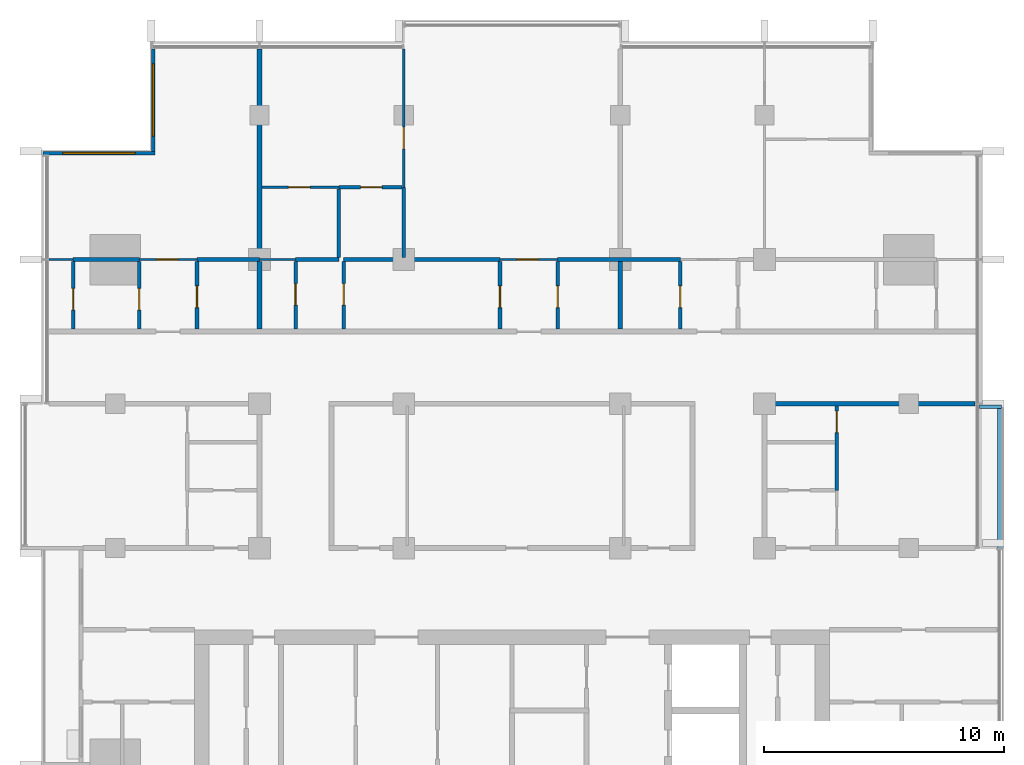
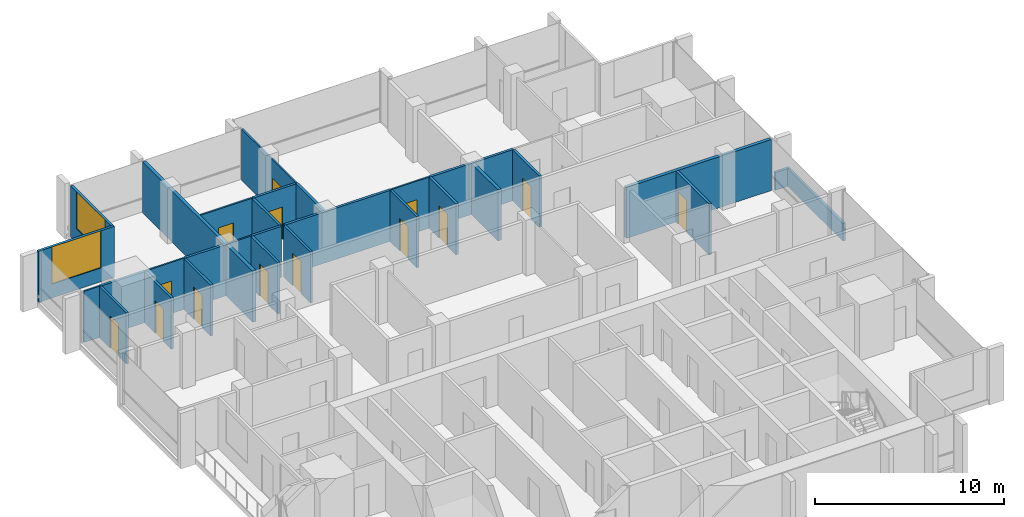
# One storey, part 10 of 16: 31 walls, 14 doors, 2 windows, 16 openings.
"""IFC4 building model written with IfcOpenShell, lengths in metres."""

from ifc_helpers import new_model, si_unit, direction, frame, frame_2d, origin, place, context, subcontext, project, spatial, rectangle, extrude, material, layer, layer_set, type_object, element, fill, save


model = new_model("IFC4")

# Units and contexts
model_context = context("Model", 3, precision=1e-05, world=origin(), true_north=direction((0.0, 1.0)))
body_context = subcontext(model_context, "Body", "Model", "MODEL_VIEW")
ifc_project = project(units=[si_unit("LENGTHUNIT", "METRE"), si_unit("AREAUNIT", "SQUARE_METRE"), si_unit("VOLUMEUNIT", "CUBIC_METRE"), si_unit("PLANEANGLEUNIT", "RADIAN"), si_unit("MASSUNIT", "GRAM", prefix="KILO")], contexts=[model_context])

# Site, building, storey
site_placement = place(None, origin())
site = spatial("IfcSite", under=ifc_project, at=site_placement, CompositionType="ELEMENT")
building_placement = place(site_placement, origin())
building = spatial("IfcBuilding", under=site, at=building_placement, Name="Finial Court Residences", CompositionType="ELEMENT")
storey_placement = place(building_placement, frame((0.0, 0.0, 215.89990234375)))
storey = spatial("IfcBuildingStorey", under=building, at=storey_placement, Name="L54", CompositionType="ELEMENT", Elevation=215.89990234375)

# Walls
ifc_material_1 = material(Name="Gypsum board")
ifc_layer_1 = layer(ifc_material_1, 0.02490234375)
ifc_material_2 = material(Name="Acoustic mineral wool in double frame")
ifc_layer_2 = layer(ifc_material_2, 0.14990234375)
ifc_layer_3 = layer(ifc_material_1, 0.02490234375)
ifc_layer_set_1 = layer_set([ifc_layer_1, ifc_layer_2, ifc_layer_3], Name="Acoustic party wall 200, 1 hour")
wall_type_1 = type_object("IfcWallType", Name="Acoustic party wall 200, 1 hour", PredefinedType="PARTITIONING", material=ifc_layer_set_1)
wall_1_placement = place(storey_placement, frame((-10.5, 4.60009765625, 0.0), z_axis=(0.0, 0.0, 1.0), x_axis=(0.0, 1.0, 0.0)))
element("IfcWall", 1, at=wall_1_placement, inside=storey, type_object=wall_type_1, Name="Partition L54-039", PredefinedType="PARTITIONING", context=body_context, shape_type="SweptSolid", body=[
    extrude(rectangle(XDim=2.824951171875, YDim=0.199951171875, at=frame_2d((1.41259765625, 0.0))), origin(), (0.0, 0.0, 1.0), 3.300048828125),
])
wall_2_placement = place(storey_placement, frame((-10.5, 7.574951171875, 0.0), z_axis=(0.0, 0.0, 1.0), x_axis=(0.0, 1.0, 0.0)))
element("IfcWall", 2, at=wall_2_placement, inside=storey, type_object=wall_type_1, Name="Partition L54-040", PredefinedType="PARTITIONING", context=body_context, shape_type="SweptSolid", body=[
    extrude(rectangle(XDim=8.6875, YDim=0.199951171875, at=frame_2d((4.34375, 0.0))), origin(), (0.0, 0.0, 1.0), 3.300048828125),
])
wall_3_placement = place(storey_placement, frame((4.5, 4.60009765625, 0.0), z_axis=(0.0, 0.0, 1.0), x_axis=(0.0, 1.0, 0.0)))
element("IfcWall", 3, at=wall_3_placement, inside=storey, type_object=wall_type_1, Name="Partition L54-050", PredefinedType="PARTITIONING", context=body_context, shape_type="SweptSolid", body=[
    extrude(rectangle(XDim=2.824951171875, YDim=0.199951171875, at=frame_2d((1.41259765625, 0.0))), origin(), (0.0, 0.0, 1.0), 3.300048828125),
])
ifc_layer_4 = layer(ifc_material_1, 0.02490234375)
ifc_layer_5 = layer(ifc_material_2, 0.14990234375)
ifc_layer_6 = layer(ifc_material_1, 0.02490234375)
ifc_layer_set_2 = layer_set([ifc_layer_4, ifc_layer_5, ifc_layer_6], Name="Corridor wall 200, 1 hour")
wall_type_2 = type_object("IfcWallType", Name="Corridor wall 200, 1 hour", PredefinedType="PARTITIONING", material=ifc_layer_set_2)
wall_4_placement = place(storey_placement, frame((10.39990234375, 1.5, 0.0), z_axis=(0.0, 0.0, 1.0), x_axis=(1.0, 0.0, 0.0)))
element("IfcWall", 4, at=wall_4_placement, inside=storey, type_object=wall_type_2, Name="Partition L54-015", PredefinedType="PARTITIONING", context=body_context, shape_type="SweptSolid", body=[
    extrude(rectangle(XDim=8.862548828125, YDim=0.199951171875, at=frame_2d((4.43115234375, 0.0))), origin(), (0.0, 0.0, 1.0), 3.300048828125),
])
ifc_layer_7 = layer(ifc_material_1, 0.012451171875)
ifc_material_3 = material(Name="Mineral wool in light-gauge frame")
ifc_layer_8 = layer(ifc_material_3, 0.074951171875)
ifc_layer_9 = layer(ifc_material_1, 0.012451171875)
ifc_layer_set_3 = layer_set([ifc_layer_7, ifc_layer_8, ifc_layer_9], Name="Gypsum board partition 100")
wall_type_3 = type_object("IfcWallType", Name="Gypsum board partition 100", PredefinedType="PARTITIONING", material=ifc_layer_set_3)
wall_5_placement = place(storey_placement, frame((-19.262451171875, 7.5, 0.0), z_axis=(0.0, 0.0, 1.0), x_axis=(1.0, 0.0, 0.0)))
element("IfcWall", 5, at=wall_5_placement, inside=storey, type_object=wall_type_3, Name="Partition L54-017", PredefinedType="PARTITIONING", context=body_context, shape_type="SweptSolid", body=[
    extrude(rectangle(XDim=1.012451171875, YDim=0.10009765625, at=frame_2d((0.50634765625, 0.0))), origin(), (0.0, 0.0, 1.0), 3.300048828125),
])

# Wall, opening, door
wall_6_placement = place(storey_placement, frame((-15.5, 7.5, 0.0), z_axis=(0.0, 0.0, 1.0), x_axis=(1.0, 0.0, 0.0)))
wall_6 = element("IfcWall", 6, at=wall_6_placement, inside=storey, type_object=wall_type_3, Name="Partition L54-018", PredefinedType="PARTITIONING", context=body_context, shape_type="SweptSolid", body=[
    extrude(rectangle(XDim=2.39990234375, YDim=0.10009765625, at=frame_2d((1.199951171875, 0.0))), origin(), (0.0, 0.0, 1.0), 3.300048828125),
])
opening_1_placement = place(wall_6_placement, frame((0.699951171875, 0.0, 0.0)))
opening_1 = element("IfcOpeningElement", 7, at=opening_1_placement, cuts=wall_6, Name="Opening L54-D019", PredefinedType="OPENING", context=body_context, shape_type="SweptSolid", body=[
    extrude(rectangle(XDim=0.89990234375, YDim=2.10009765625, at=frame_2d((0.449951171875, 1.050048828125))), frame((0.0, 0.06005859375, 0.0), z_axis=(0.0, -1.0, 0.0), x_axis=(1.0, 0.0, 0.0)), (0.0, 0.0, 1.0), 0.1201171875),
])
ifc_material_4 = material(Name="Timber door leaf in timber frame", Category="wood")
door_type = type_object("IfcDoorType", Name="Door set 900 x 2100", OperationType="SINGLE_SWING_LEFT", PredefinedType="DOOR", material=ifc_material_4)
door_1_placement = place(opening_1_placement, origin())
door_1 = element("IfcDoor", 8, at=door_1_placement, inside=storey, type_object=door_type, Name="Door L54-D019", OperationType="SINGLE_SWING_RIGHT", OverallHeight=2.10009765625, OverallWidth=0.89990234375, PredefinedType="DOOR", context=body_context, shape_type="SweptSolid", body=[
    extrude(rectangle(XDim=0.89990234375, YDim=2.10009765625, at=frame_2d((0.449951171875, 1.050048828125))), frame((0.0, 0.02490234375, 0.0), z_axis=(0.0, -1.0, 0.0), x_axis=(1.0, 0.0, 0.0)), (0.0, 0.0, 1.0), 0.050048828125),
])
fill(opening_1, door_1)

# Wall
wall_7_placement = place(storey_placement, frame((-10.5, 7.5, 0.0), z_axis=(0.0, 0.0, 1.0), x_axis=(1.0, 0.0, 0.0)))
element("IfcWall", 9, at=wall_7_placement, inside=storey, type_object=wall_type_3, Name="Partition L54-019", PredefinedType="PARTITIONING", context=body_context, shape_type="SweptSolid", body=[
    extrude(rectangle(XDim=1.5, YDim=0.10009765625, at=frame_2d((0.75, 0.0))), origin(), (0.0, 0.0, 1.0), 3.300048828125),
])

# Wall, opening, door
wall_8_placement = place(storey_placement, frame((-0.5, 7.5, 0.0), z_axis=(0.0, 0.0, 1.0), x_axis=(1.0, 0.0, 0.0)))
wall_8 = element("IfcWall", 10, at=wall_8_placement, inside=storey, type_object=wall_type_3, Name="Partition L54-020", PredefinedType="PARTITIONING", context=body_context, shape_type="SweptSolid", body=[
    extrude(rectangle(XDim=2.39990234375, YDim=0.10009765625, at=frame_2d((1.199951171875, 0.0))), origin(), (0.0, 0.0, 1.0), 3.300048828125),
])
opening_2_placement = place(wall_8_placement, frame((0.699951171875, 0.0, 0.0)))
opening_2 = element("IfcOpeningElement", 11, at=opening_2_placement, cuts=wall_8, Name="Opening L54-D020", PredefinedType="OPENING", context=body_context, shape_type="SweptSolid", body=[
    extrude(rectangle(XDim=0.89990234375, YDim=2.10009765625, at=frame_2d((0.449951171875, 1.050048828125))), frame((0.0, 0.06005859375, 0.0), z_axis=(0.0, -1.0, 0.0), x_axis=(1.0, 0.0, 0.0)), (0.0, 0.0, 1.0), 0.1201171875),
])
door_2_placement = place(opening_2_placement, origin())
door_2 = element("IfcDoor", 12, at=door_2_placement, inside=storey, type_object=door_type, Name="Door L54-D020", OperationType="SINGLE_SWING_RIGHT", OverallHeight=2.10009765625, OverallWidth=0.89990234375, PredefinedType="DOOR", context=body_context, shape_type="SweptSolid", body=[
    extrude(rectangle(XDim=0.89990234375, YDim=2.10009765625, at=frame_2d((0.449951171875, 1.050048828125))), frame((0.0, 0.02490234375, 0.0), z_axis=(0.0, -1.0, 0.0), x_axis=(1.0, 0.0, 0.0)), (0.0, 0.0, 1.0), 0.050048828125),
])
fill(opening_2, door_2)

wall_9_placement = place(storey_placement, frame((-10.39990234375, 10.5, 0.0), z_axis=(0.0, 0.0, 1.0), x_axis=(1.0, 0.0, 0.0)))
wall_9 = element("IfcWall", 13, at=wall_9_placement, inside=storey, type_object=wall_type_3, Name="Partition L54-029", PredefinedType="PARTITIONING", context=body_context, shape_type="SweptSolid", body=[
    extrude(rectangle(XDim=3.199951171875, YDim=0.10009765625, at=frame_2d((1.60009765625, 0.0))), origin(), (0.0, 0.0, 1.0), 3.300048828125),
])
opening_3_placement = place(wall_9_placement, frame((1.10009765625, 0.0, 0.0)))
opening_3 = element("IfcOpeningElement", 14, at=opening_3_placement, cuts=wall_9, Name="Opening L54-D022", PredefinedType="OPENING", context=body_context, shape_type="SweptSolid", body=[
    extrude(rectangle(XDim=0.89990234375, YDim=2.10009765625, at=frame_2d((0.449951171875, 1.050048828125))), frame((0.0, 0.06005859375, 0.0), z_axis=(0.0, -1.0, 0.0), x_axis=(1.0, 0.0, 0.0)), (0.0, 0.0, 1.0), 0.1201171875),
])
door_3_placement = place(opening_3_placement, origin())
door_3 = element("IfcDoor", 15, at=door_3_placement, inside=storey, type_object=door_type, Name="Door L54-D022", OperationType="SINGLE_SWING_RIGHT", OverallHeight=2.10009765625, OverallWidth=0.89990234375, PredefinedType="DOOR", context=body_context, shape_type="SweptSolid", body=[
    extrude(rectangle(XDim=0.89990234375, YDim=2.10009765625, at=frame_2d((0.449951171875, 1.050048828125))), frame((0.0, 0.02490234375, 0.0), z_axis=(0.0, -1.0, 0.0), x_axis=(1.0, 0.0, 0.0)), (0.0, 0.0, 1.0), 0.050048828125),
])
fill(opening_3, door_3)

wall_10_placement = place(storey_placement, frame((-4.5, 10.5, 0.0), z_axis=(0.0, 0.0, 1.0), x_axis=(0.0, 1.0, 0.0)))
wall_10 = element("IfcWall", 16, at=wall_10_placement, inside=storey, type_object=wall_type_3, Name="Partition L54-045", PredefinedType="PARTITIONING", context=body_context, shape_type="SweptSolid", body=[
    extrude(rectangle(XDim=5.762451171875, YDim=0.10009765625, at=frame_2d((2.88134765625, 0.0))), origin(), (0.0, 0.0, 1.0), 3.300048828125),
])
opening_4_placement = place(wall_10_placement, frame((1.60009765625, 0.0, 0.0)))
opening_4 = element("IfcOpeningElement", 17, at=opening_4_placement, cuts=wall_10, Name="Opening L54-D032", PredefinedType="OPENING", context=body_context, shape_type="SweptSolid", body=[
    extrude(rectangle(XDim=0.89990234375, YDim=2.10009765625, at=frame_2d((0.449951171875, 1.050048828125))), frame((0.0, 0.06005859375, 0.0), z_axis=(0.0, -1.0, 0.0), x_axis=(1.0, 0.0, 0.0)), (0.0, 0.0, 1.0), 0.1201171875),
])
door_4_placement = place(opening_4_placement, origin())
door_4 = element("IfcDoor", 18, at=door_4_placement, inside=storey, type_object=door_type, Name="Door L54-D032", OperationType="SINGLE_SWING_RIGHT", OverallHeight=2.10009765625, OverallWidth=0.89990234375, PredefinedType="DOOR", context=body_context, shape_type="SweptSolid", body=[
    extrude(rectangle(XDim=0.89990234375, YDim=2.10009765625, at=frame_2d((0.449951171875, 1.050048828125))), frame((0.0, 0.02490234375, 0.0), z_axis=(0.0, -1.0, 0.0), x_axis=(1.0, 0.0, 0.0)), (0.0, 0.0, 1.0), 0.050048828125),
])
fill(opening_4, door_4)

# Walls
ifc_material_5 = material(Name="Moisture-resistant gypsum board")
ifc_layer_10 = layer(ifc_material_5, 0.012451171875)
ifc_layer_11 = layer(ifc_material_3, 0.125)
ifc_layer_12 = layer(ifc_material_5, 0.012451171875)
ifc_layer_set_4 = layer_set([ifc_layer_10, ifc_layer_11, ifc_layer_12], Name="Gypsum board wet-area partition 150")
wall_type_4 = type_object("IfcWallType", Name="Gypsum board wet-area partition 150", PredefinedType="PARTITIONING", material=ifc_layer_set_4)
wall_11_placement = place(storey_placement, frame((-18.25, 7.5, 0.0), z_axis=(0.0, 0.0, 1.0), x_axis=(1.0, 0.0, 0.0)))
element("IfcWall", 19, at=wall_11_placement, inside=storey, type_object=wall_type_4, Name="Partition L54-023", PredefinedType="PARTITIONING", context=body_context, shape_type="SweptSolid", body=[
    extrude(rectangle(XDim=2.75, YDim=0.14990234375, at=frame_2d((1.375, 0.0))), origin(), (0.0, 0.0, 1.0), 3.300048828125),
])
wall_12_placement = place(storey_placement, frame((-13.10009765625, 7.5, 0.0), z_axis=(0.0, 0.0, 1.0), x_axis=(1.0, 0.0, 0.0)))
element("IfcWall", 20, at=wall_12_placement, inside=storey, type_object=wall_type_4, Name="Partition L54-024", PredefinedType="PARTITIONING", context=body_context, shape_type="SweptSolid", body=[
    extrude(rectangle(XDim=2.60009765625, YDim=0.14990234375, at=frame_2d((1.300048828125, 0.0))), origin(), (0.0, 0.0, 1.0), 3.300048828125),
])
wall_13_placement = place(storey_placement, frame((-9.0, 7.5, 0.0), z_axis=(0.0, 0.0, 1.0), x_axis=(1.0, 0.0, 0.0)))
element("IfcWall", 21, at=wall_13_placement, inside=storey, type_object=wall_type_4, Name="Partition L54-025", PredefinedType="PARTITIONING", context=body_context, shape_type="SweptSolid", body=[
    extrude(rectangle(XDim=1.800048828125, YDim=0.14990234375, at=frame_2d((0.89990234375, 0.0))), origin(), (0.0, 0.0, 1.0), 3.300048828125),
])
wall_14_placement = place(storey_placement, frame((-7.0, 7.5, 0.0), z_axis=(0.0, 0.0, 1.0), x_axis=(1.0, 0.0, 0.0)))
element("IfcWall", 22, at=wall_14_placement, inside=storey, type_object=wall_type_4, Name="Partition L54-026", PredefinedType="PARTITIONING", context=body_context, shape_type="SweptSolid", body=[
    extrude(rectangle(XDim=6.5, YDim=0.14990234375, at=frame_2d((3.25, 0.0))), origin(), (0.0, 0.0, 1.0), 3.300048828125),
])
wall_15_placement = place(storey_placement, frame((1.89990234375, 7.5, 0.0), z_axis=(0.0, 0.0, 1.0), x_axis=(1.0, 0.0, 0.0)))
element("IfcWall", 23, at=wall_15_placement, inside=storey, type_object=wall_type_4, Name="Partition L54-027", PredefinedType="PARTITIONING", context=body_context, shape_type="SweptSolid", body=[
    extrude(rectangle(XDim=5.10009765625, YDim=0.14990234375, at=frame_2d((2.550048828125, 0.0))), origin(), (0.0, 0.0, 1.0), 3.300048828125),
])

# Wall, opening, door
wall_16_placement = place(storey_placement, frame((-7.199951171875, 10.5, 0.0), z_axis=(0.0, 0.0, 1.0), x_axis=(1.0, 0.0, 0.0)))
wall_16 = element("IfcWall", 24, at=wall_16_placement, inside=storey, type_object=wall_type_4, Name="Partition L54-030", PredefinedType="PARTITIONING", context=body_context, shape_type="SweptSolid", body=[
    extrude(rectangle(XDim=2.625, YDim=0.14990234375, at=frame_2d((1.3125, 0.0))), origin(), (0.0, 0.0, 1.0), 3.300048828125),
])
opening_5_placement = place(wall_16_placement, frame((0.89990234375, 0.0, 0.0)))
opening_5 = element("IfcOpeningElement", 25, at=opening_5_placement, cuts=wall_16, Name="Opening L54-D023", PredefinedType="OPENING", context=body_context, shape_type="SweptSolid", body=[
    extrude(rectangle(XDim=0.89990234375, YDim=2.10009765625, at=frame_2d((0.449951171875, 1.050048828125))), frame((0.0, 0.0849609375, 0.0), z_axis=(0.0, -1.0, 0.0), x_axis=(1.0, 0.0, 0.0)), (0.0, 0.0, 1.0), 0.169921875),
])
door_5_placement = place(opening_5_placement, origin())
door_5 = element("IfcDoor", 26, at=door_5_placement, inside=storey, type_object=door_type, Name="Door L54-D023", OperationType="SINGLE_SWING_LEFT", OverallHeight=2.10009765625, OverallWidth=0.89990234375, PredefinedType="DOOR", context=body_context, shape_type="SweptSolid", body=[
    extrude(rectangle(XDim=0.89990234375, YDim=2.10009765625, at=frame_2d((0.449951171875, 1.050048828125))), frame((0.0, 0.02490234375, 0.0), z_axis=(0.0, -1.0, 0.0), x_axis=(1.0, 0.0, 0.0)), (0.0, 0.0, 1.0), 0.050048828125),
])
fill(opening_5, door_5)

wall_17_placement = place(storey_placement, frame((-18.25, 4.60009765625, 0.0), z_axis=(0.0, 0.0, 1.0), x_axis=(0.0, 1.0, 0.0)))
wall_17 = element("IfcWall", 27, at=wall_17_placement, inside=storey, type_object=wall_type_4, Name="Partition L54-032", PredefinedType="PARTITIONING", context=body_context, shape_type="SweptSolid", body=[
    extrude(rectangle(XDim=2.824951171875, YDim=0.14990234375, at=frame_2d((1.41259765625, 0.0))), origin(), (0.0, 0.0, 1.0), 3.300048828125),
])
opening_6_placement = place(wall_17_placement, frame((0.800048828125, 0.0, 0.0)))
opening_6 = element("IfcOpeningElement", 28, at=opening_6_placement, cuts=wall_17, Name="Opening L54-D025", PredefinedType="OPENING", context=body_context, shape_type="SweptSolid", body=[
    extrude(rectangle(XDim=0.89990234375, YDim=2.10009765625, at=frame_2d((0.449951171875, 1.050048828125))), frame((0.0, 0.0849609375, 0.0), z_axis=(0.0, -1.0, 0.0), x_axis=(1.0, 0.0, 0.0)), (0.0, 0.0, 1.0), 0.169921875),
])
door_6_placement = place(opening_6_placement, origin())
door_6 = element("IfcDoor", 29, at=door_6_placement, inside=storey, type_object=door_type, Name="Door L54-D025", OperationType="SINGLE_SWING_RIGHT", OverallHeight=2.10009765625, OverallWidth=0.89990234375, PredefinedType="DOOR", context=body_context, shape_type="SweptSolid", body=[
    extrude(rectangle(XDim=0.89990234375, YDim=2.10009765625, at=frame_2d((0.449951171875, 1.050048828125))), frame((0.0, 0.02490234375, 0.0), z_axis=(0.0, -1.0, 0.0), x_axis=(1.0, 0.0, 0.0)), (0.0, 0.0, 1.0), 0.050048828125),
])
fill(opening_6, door_6)

wall_18_placement = place(storey_placement, frame((-15.5, 4.60009765625, 0.0), z_axis=(0.0, 0.0, 1.0), x_axis=(0.0, 1.0, 0.0)))
wall_18 = element("IfcWall", 30, at=wall_18_placement, inside=storey, type_object=wall_type_4, Name="Partition L54-034", PredefinedType="PARTITIONING", context=body_context, shape_type="SweptSolid", body=[
    extrude(rectangle(XDim=2.824951171875, YDim=0.14990234375, at=frame_2d((1.41259765625, 0.0))), origin(), (0.0, 0.0, 1.0), 3.300048828125),
])
opening_7_placement = place(wall_18_placement, frame((0.800048828125, 0.0, 0.0)))
opening_7 = element("IfcOpeningElement", 31, at=opening_7_placement, cuts=wall_18, Name="Opening L54-D026", PredefinedType="OPENING", context=body_context, shape_type="SweptSolid", body=[
    extrude(rectangle(XDim=0.89990234375, YDim=2.10009765625, at=frame_2d((0.449951171875, 1.050048828125))), frame((0.0, 0.0849609375, 0.0), z_axis=(0.0, -1.0, 0.0), x_axis=(1.0, 0.0, 0.0)), (0.0, 0.0, 1.0), 0.169921875),
])
door_7_placement = place(opening_7_placement, origin())
door_7 = element("IfcDoor", 32, at=door_7_placement, inside=storey, type_object=door_type, Name="Door L54-D026", OperationType="SINGLE_SWING_RIGHT", OverallHeight=2.10009765625, OverallWidth=0.89990234375, PredefinedType="DOOR", context=body_context, shape_type="SweptSolid", body=[
    extrude(rectangle(XDim=0.89990234375, YDim=2.10009765625, at=frame_2d((0.449951171875, 1.050048828125))), frame((0.0, 0.02490234375, 0.0), z_axis=(0.0, -1.0, 0.0), x_axis=(1.0, 0.0, 0.0)), (0.0, 0.0, 1.0), 0.050048828125),
])
fill(opening_7, door_7)

wall_19_placement = place(storey_placement, frame((-13.10009765625, 4.60009765625, 0.0), z_axis=(0.0, 0.0, 1.0), x_axis=(0.0, 1.0, 0.0)))
wall_19 = element("IfcWall", 33, at=wall_19_placement, inside=storey, type_object=wall_type_4, Name="Partition L54-037", PredefinedType="PARTITIONING", context=body_context, shape_type="SweptSolid", body=[
    extrude(rectangle(XDim=2.824951171875, YDim=0.14990234375, at=frame_2d((1.41259765625, 0.0))), origin(), (0.0, 0.0, 1.0), 3.300048828125),
])
opening_8_placement = place(wall_19_placement, frame((0.89990234375, 0.0, 0.0)))
opening_8 = element("IfcOpeningElement", 34, at=opening_8_placement, cuts=wall_19, Name="Opening L54-D029", PredefinedType="OPENING", context=body_context, shape_type="SweptSolid", body=[
    extrude(rectangle(XDim=0.89990234375, YDim=2.10009765625, at=frame_2d((0.449951171875, 1.050048828125))), frame((0.0, 0.0849609375, 0.0), z_axis=(0.0, -1.0, 0.0), x_axis=(1.0, 0.0, 0.0)), (0.0, 0.0, 1.0), 0.169921875),
])
door_8_placement = place(opening_8_placement, origin())
door_8 = element("IfcDoor", 35, at=door_8_placement, inside=storey, type_object=door_type, Name="Door L54-D029", OperationType="SINGLE_SWING_LEFT", OverallHeight=2.10009765625, OverallWidth=0.89990234375, PredefinedType="DOOR", context=body_context, shape_type="SweptSolid", body=[
    extrude(rectangle(XDim=0.89990234375, YDim=2.10009765625, at=frame_2d((0.449951171875, 1.050048828125))), frame((0.0, 0.02490234375, 0.0), z_axis=(0.0, -1.0, 0.0), x_axis=(1.0, 0.0, 0.0)), (0.0, 0.0, 1.0), 0.050048828125),
])
fill(opening_8, door_8)

wall_20_placement = place(storey_placement, frame((-9.0, 4.60009765625, 0.0), z_axis=(0.0, 0.0, 1.0), x_axis=(0.0, 1.0, 0.0)))
wall_20 = element("IfcWall", 36, at=wall_20_placement, inside=storey, type_object=wall_type_4, Name="Partition L54-041", PredefinedType="PARTITIONING", context=body_context, shape_type="SweptSolid", body=[
    extrude(rectangle(XDim=2.824951171875, YDim=0.14990234375, at=frame_2d((1.41259765625, 0.0))), origin(), (0.0, 0.0, 1.0), 3.300048828125),
])
opening_9_placement = place(wall_20_placement, frame((1.0, 0.0, 0.0)))
opening_9 = element("IfcOpeningElement", 37, at=opening_9_placement, cuts=wall_20, Name="Opening L54-D030", PredefinedType="OPENING", context=body_context, shape_type="SweptSolid", body=[
    extrude(rectangle(XDim=0.89990234375, YDim=2.10009765625, at=frame_2d((0.449951171875, 1.050048828125))), frame((0.0, 0.0849609375, 0.0), z_axis=(0.0, -1.0, 0.0), x_axis=(1.0, 0.0, 0.0)), (0.0, 0.0, 1.0), 0.169921875),
])
door_9_placement = place(opening_9_placement, origin())
door_9 = element("IfcDoor", 38, at=door_9_placement, inside=storey, type_object=door_type, Name="Door L54-D030", OperationType="SINGLE_SWING_LEFT", OverallHeight=2.10009765625, OverallWidth=0.89990234375, PredefinedType="DOOR", context=body_context, shape_type="SweptSolid", body=[
    extrude(rectangle(XDim=0.89990234375, YDim=2.10009765625, at=frame_2d((0.449951171875, 1.050048828125))), frame((0.0, 0.02490234375, 0.0), z_axis=(0.0, -1.0, 0.0), x_axis=(1.0, 0.0, 0.0)), (0.0, 0.0, 1.0), 0.050048828125),
])
fill(opening_9, door_9)

# Wall
wall_21_placement = place(storey_placement, frame((-7.199951171875, 7.574951171875, 0.0), z_axis=(0.0, 0.0, 1.0), x_axis=(0.0, 1.0, 0.0)))
element("IfcWall", 39, at=wall_21_placement, inside=storey, type_object=wall_type_4, Name="Partition L54-043", PredefinedType="PARTITIONING", context=body_context, shape_type="SweptSolid", body=[
    extrude(rectangle(XDim=2.85009765625, YDim=0.14990234375, at=frame_2d((1.425048828125, 0.0))), origin(), (0.0, 0.0, 1.0), 3.300048828125),
])

# Wall, opening, door
wall_22_placement = place(storey_placement, frame((-7.0, 4.60009765625, 0.0), z_axis=(0.0, 0.0, 1.0), x_axis=(0.0, 1.0, 0.0)))
wall_22 = element("IfcWall", 40, at=wall_22_placement, inside=storey, type_object=wall_type_4, Name="Partition L54-044", PredefinedType="PARTITIONING", context=body_context, shape_type="SweptSolid", body=[
    extrude(rectangle(XDim=2.824951171875, YDim=0.14990234375, at=frame_2d((1.41259765625, 0.0))), origin(), (0.0, 0.0, 1.0), 3.300048828125),
])
opening_10_placement = place(wall_22_placement, frame((1.0, 0.0, 0.0)))
opening_10 = element("IfcOpeningElement", 41, at=opening_10_placement, cuts=wall_22, Name="Opening L54-D031", PredefinedType="OPENING", context=body_context, shape_type="SweptSolid", body=[
    extrude(rectangle(XDim=0.89990234375, YDim=2.10009765625, at=frame_2d((0.449951171875, 1.050048828125))), frame((0.0, 0.0849609375, 0.0), z_axis=(0.0, -1.0, 0.0), x_axis=(1.0, 0.0, 0.0)), (0.0, 0.0, 1.0), 0.169921875),
])
door_10_placement = place(opening_10_placement, origin())
door_10 = element("IfcDoor", 42, at=door_10_placement, inside=storey, type_object=door_type, Name="Door L54-D031", OperationType="SINGLE_SWING_RIGHT", OverallHeight=2.10009765625, OverallWidth=0.89990234375, PredefinedType="DOOR", context=body_context, shape_type="SweptSolid", body=[
    extrude(rectangle(XDim=0.89990234375, YDim=2.10009765625, at=frame_2d((0.449951171875, 1.050048828125))), frame((0.0, 0.02490234375, 0.0), z_axis=(0.0, -1.0, 0.0), x_axis=(1.0, 0.0, 0.0)), (0.0, 0.0, 1.0), 0.050048828125),
])
fill(opening_10, door_10)

# Wall
wall_23_placement = place(storey_placement, frame((-4.5, 7.574951171875, 0.0), z_axis=(0.0, 0.0, 1.0), x_axis=(0.0, 1.0, 0.0)))
element("IfcWall", 43, at=wall_23_placement, inside=storey, type_object=wall_type_4, Name="Partition L54-046", PredefinedType="PARTITIONING", context=body_context, shape_type="SweptSolid", body=[
    extrude(rectangle(XDim=2.925048828125, YDim=0.14990234375, at=frame_2d((1.46240234375, 0.0))), origin(), (0.0, 0.0, 1.0), 3.300048828125),
])

# Wall, opening, door
wall_24_placement = place(storey_placement, frame((-0.5, 4.60009765625, 0.0), z_axis=(0.0, 0.0, 1.0), x_axis=(0.0, 1.0, 0.0)))
wall_24 = element("IfcWall", 44, at=wall_24_placement, inside=storey, type_object=wall_type_4, Name="Partition L54-048", PredefinedType="PARTITIONING", context=body_context, shape_type="SweptSolid", body=[
    extrude(rectangle(XDim=2.824951171875, YDim=0.14990234375, at=frame_2d((1.41259765625, 0.0))), origin(), (0.0, 0.0, 1.0), 3.300048828125),
])
opening_11_placement = place(wall_24_placement, frame((0.89990234375, 0.0, 0.0)))
opening_11 = element("IfcOpeningElement", 45, at=opening_11_placement, cuts=wall_24, Name="Opening L54-D033", PredefinedType="OPENING", context=body_context, shape_type="SweptSolid", body=[
    extrude(rectangle(XDim=0.89990234375, YDim=2.10009765625, at=frame_2d((0.449951171875, 1.050048828125))), frame((0.0, 0.0849609375, 0.0), z_axis=(0.0, -1.0, 0.0), x_axis=(1.0, 0.0, 0.0)), (0.0, 0.0, 1.0), 0.169921875),
])
door_11_placement = place(opening_11_placement, origin())
door_11 = element("IfcDoor", 46, at=door_11_placement, inside=storey, type_object=door_type, Name="Door L54-D033", OperationType="SINGLE_SWING_LEFT", OverallHeight=2.10009765625, OverallWidth=0.89990234375, PredefinedType="DOOR", context=body_context, shape_type="SweptSolid", body=[
    extrude(rectangle(XDim=0.89990234375, YDim=2.10009765625, at=frame_2d((0.449951171875, 1.050048828125))), frame((0.0, 0.02490234375, 0.0), z_axis=(0.0, -1.0, 0.0), x_axis=(1.0, 0.0, 0.0)), (0.0, 0.0, 1.0), 0.050048828125),
])
fill(opening_11, door_11)

wall_25_placement = place(storey_placement, frame((1.89990234375, 4.60009765625, 0.0), z_axis=(0.0, 0.0, 1.0), x_axis=(0.0, 1.0, 0.0)))
wall_25 = element("IfcWall", 47, at=wall_25_placement, inside=storey, type_object=wall_type_4, Name="Partition L54-049", PredefinedType="PARTITIONING", context=body_context, shape_type="SweptSolid", body=[
    extrude(rectangle(XDim=2.824951171875, YDim=0.14990234375, at=frame_2d((1.41259765625, 0.0))), origin(), (0.0, 0.0, 1.0), 3.300048828125),
])
opening_12_placement = place(wall_25_placement, frame((0.89990234375, 0.0, 0.0)))
opening_12 = element("IfcOpeningElement", 48, at=opening_12_placement, cuts=wall_25, Name="Opening L54-D034", PredefinedType="OPENING", context=body_context, shape_type="SweptSolid", body=[
    extrude(rectangle(XDim=0.89990234375, YDim=2.10009765625, at=frame_2d((0.449951171875, 1.050048828125))), frame((0.0, 0.0849609375, 0.0), z_axis=(0.0, -1.0, 0.0), x_axis=(1.0, 0.0, 0.0)), (0.0, 0.0, 1.0), 0.169921875),
])
door_12_placement = place(opening_12_placement, origin())
door_12 = element("IfcDoor", 49, at=door_12_placement, inside=storey, type_object=door_type, Name="Door L54-D034", OperationType="SINGLE_SWING_RIGHT", OverallHeight=2.10009765625, OverallWidth=0.89990234375, PredefinedType="DOOR", context=body_context, shape_type="SweptSolid", body=[
    extrude(rectangle(XDim=0.89990234375, YDim=2.10009765625, at=frame_2d((0.449951171875, 1.050048828125))), frame((0.0, 0.02490234375, 0.0), z_axis=(0.0, -1.0, 0.0), x_axis=(1.0, 0.0, 0.0)), (0.0, 0.0, 1.0), 0.050048828125),
])
fill(opening_12, door_12)

wall_26_placement = place(storey_placement, frame((7.0, 4.60009765625, 0.0), z_axis=(0.0, 0.0, 1.0), x_axis=(0.0, 1.0, 0.0)))
wall_26 = element("IfcWall", 50, at=wall_26_placement, inside=storey, type_object=wall_type_4, Name="Partition L54-053", PredefinedType="PARTITIONING", context=body_context, shape_type="SweptSolid", body=[
    extrude(rectangle(XDim=2.824951171875, YDim=0.14990234375, at=frame_2d((1.41259765625, 0.0))), origin(), (0.0, 0.0, 1.0), 3.300048828125),
])
opening_13_placement = place(wall_26_placement, frame((0.89990234375, 0.0, 0.0)))
opening_13 = element("IfcOpeningElement", 51, at=opening_13_placement, cuts=wall_26, Name="Opening L54-D035", PredefinedType="OPENING", context=body_context, shape_type="SweptSolid", body=[
    extrude(rectangle(XDim=0.89990234375, YDim=2.10009765625, at=frame_2d((0.449951171875, 1.050048828125))), frame((0.0, 0.0849609375, 0.0), z_axis=(0.0, -1.0, 0.0), x_axis=(1.0, 0.0, 0.0)), (0.0, 0.0, 1.0), 0.169921875),
])
door_13_placement = place(opening_13_placement, origin())
door_13 = element("IfcDoor", 52, at=door_13_placement, inside=storey, type_object=door_type, Name="Door L54-D035", OperationType="SINGLE_SWING_RIGHT", OverallHeight=2.10009765625, OverallWidth=0.89990234375, PredefinedType="DOOR", context=body_context, shape_type="SweptSolid", body=[
    extrude(rectangle(XDim=0.89990234375, YDim=2.10009765625, at=frame_2d((0.449951171875, 1.050048828125))), frame((0.0, 0.02490234375, 0.0), z_axis=(0.0, -1.0, 0.0), x_axis=(1.0, 0.0, 0.0)), (0.0, 0.0, 1.0), 0.050048828125),
])
fill(opening_13, door_13)

wall_27_placement = place(storey_placement, frame((13.5, -2.10009765625, 0.0), z_axis=(0.0, 0.0, 1.0), x_axis=(0.0, 1.0, 0.0)))
wall_27 = element("IfcWall", 53, at=wall_27_placement, inside=storey, type_object=wall_type_4, Name="Partition L54-059", PredefinedType="PARTITIONING", context=body_context, shape_type="SweptSolid", body=[
    extrude(rectangle(XDim=3.5, YDim=0.14990234375, at=frame_2d((1.75, 0.0))), origin(), (0.0, 0.0, 1.0), 3.300048828125),
])
opening_14_placement = place(wall_27_placement, frame((2.39990234375, 0.0, 0.0)))
opening_14 = element("IfcOpeningElement", 54, at=opening_14_placement, cuts=wall_27, Name="Opening L54-D039", PredefinedType="OPENING", context=body_context, shape_type="SweptSolid", body=[
    extrude(rectangle(XDim=0.89990234375, YDim=2.10009765625, at=frame_2d((0.449951171875, 1.050048828125))), frame((0.0, 0.0849609375, 0.0), z_axis=(0.0, -1.0, 0.0), x_axis=(1.0, 0.0, 0.0)), (0.0, 0.0, 1.0), 0.169921875),
])
door_14_placement = place(opening_14_placement, origin())
door_14 = element("IfcDoor", 55, at=door_14_placement, inside=storey, type_object=door_type, Name="Door L54-D039", OperationType="SINGLE_SWING_LEFT", OverallHeight=2.10009765625, OverallWidth=0.89990234375, PredefinedType="DOOR", context=body_context, shape_type="SweptSolid", body=[
    extrude(rectangle(XDim=0.89990234375, YDim=2.10009765625, at=frame_2d((0.449951171875, 1.050048828125))), frame((0.0, 0.02490234375, 0.0), z_axis=(0.0, -1.0, 0.0), x_axis=(1.0, 0.0, 0.0)), (0.0, 0.0, 1.0), 0.050048828125),
])
fill(opening_14, door_14)

# Walls
ifc_material_6 = material(Name="Concrete C35/45", Category="concrete")
ifc_layer_13 = layer(ifc_material_6, 0.14990234375)
ifc_layer_set_5 = layer_set([ifc_layer_13], Name="Ledge parapet, Concrete C35/45 150")
wall_type_5 = type_object("IfcWallType", Name="Ledge parapet, Concrete C35/45 150", PredefinedType="PARAPET", material=ifc_layer_set_5)
wall_28_placement = place(storey_placement, frame((19.447509765625, 1.375, 0.0), z_axis=(0.0, 0.0, 1.0), x_axis=(1.0, 0.0, 0.0)))
element("IfcWall", 56, at=wall_28_placement, inside=storey, type_object=wall_type_5, Name="E-L54-LED1-P1", PredefinedType="PARAPET", context=body_context, shape_type="SweptSolid", body=[
    extrude(rectangle(XDim=0.902587890625, YDim=0.14990234375, at=frame_2d((0.451171875, 0.0))), origin(), (0.0, 0.0, 1.0), 1.150146484375),
])
wall_29_placement = place(storey_placement, frame((20.27490234375, 1.300048828125, 0.0), z_axis=(0.0, 0.0, 1.0), x_axis=(0.0, -1.0, 0.0)))
element("IfcWall", 57, at=wall_29_placement, inside=storey, type_object=wall_type_5, Name="E-L54-LED1-P2", PredefinedType="PARAPET", context=body_context, shape_type="SweptSolid", body=[
    extrude(rectangle(XDim=5.8525390625, YDim=0.14990234375, at=frame_2d((2.92626953125, 0.0))), origin(), (0.0, 0.0, 1.0), 1.150146484375),
])

# Wall, opening, window
ifc_material_7 = material(Name="Natural limestone", Category="masonry")
ifc_layer_14 = layer(ifc_material_7, 0.14990234375)
ifc_layer_set_6 = layer_set([ifc_layer_14], Name="Limestone clad wall 150")
wall_type_6 = type_object("IfcWallType", Name="Limestone clad wall 150", PredefinedType="SOLIDWALL", material=ifc_layer_set_6)
wall_30_placement = place(storey_placement, frame((-14.925048828125, 12.0, 0.0), z_axis=(0.0, 0.0, 1.0), x_axis=(0.0, 1.0, 0.0)))
wall_30 = element("IfcWall", 58, at=wall_30_placement, inside=storey, type_object=wall_type_6, Name="E-L54-NWW16", PredefinedType="SOLIDWALL", context=body_context, shape_type="SweptSolid", body=[
    extrude(rectangle(XDim=4.262451171875, YDim=0.14990234375, at=frame_2d((2.13134765625, 0.0))), origin(), (0.0, 0.0, 1.0), 3.300048828125),
])
opening_15_placement = place(wall_30_placement, frame((0.631103515625, 0.0, 0.89990234375)))
opening_15 = element("IfcOpeningElement", 59, at=opening_15_placement, cuts=wall_30, Name="Opening WE54-05", PredefinedType="OPENING", context=body_context, shape_type="SweptSolid", body=[
    extrude(rectangle(XDim=3.0, YDim=2.39990234375, at=frame_2d((1.5, 1.199951171875))), frame((0.0, 0.0849609375, 0.0), z_axis=(0.0, -1.0, 0.0), x_axis=(1.0, 0.0, 0.0)), (0.0, 0.0, 1.0), 0.169921875),
])
ifc_material_8 = material(Name="Clear low-e glass", Category="glass")
window_type = type_object("IfcWindowType", Name="Corner window 3000 x 2400", PartitioningType="SINGLE_PANEL", PredefinedType="WINDOW", material=ifc_material_8)
window_1_placement = place(opening_15_placement, origin())
window_1 = element("IfcWindow", 60, at=window_1_placement, inside=storey, type_object=window_type, Name="E-L54-NWW16-W1", OverallHeight=2.39990234375, OverallWidth=3.0, PartitioningType="SINGLE_PANEL", PredefinedType="WINDOW", context=body_context, shape_type="SweptSolid", body=[
    extrude(rectangle(XDim=3.0, YDim=2.39990234375, at=frame_2d((1.5, 1.199951171875))), frame((0.0, 0.030029296875, 0.0), z_axis=(0.0, -1.0, 0.0), x_axis=(1.0, 0.0, 0.0)), (0.0, 0.0, 1.0), 0.06005859375),
])
fill(opening_15, window_1)

wall_31_placement = place(storey_placement, frame((-19.5, 11.925048828125, 0.0), z_axis=(0.0, 0.0, 1.0), x_axis=(1.0, 0.0, 0.0)))
wall_31 = element("IfcWall", 61, at=wall_31_placement, inside=storey, type_object=wall_type_6, Name="E-L54-NWN17", PredefinedType="SOLIDWALL", context=body_context, shape_type="SweptSolid", body=[
    extrude(rectangle(XDim=4.64990234375, YDim=0.14990234375, at=frame_2d((2.324951171875, 0.0))), origin(), (0.0, 0.0, 1.0), 3.300048828125),
])
opening_16_placement = place(wall_31_placement, frame((0.824951171875, 0.0, 0.89990234375)))
opening_16 = element("IfcOpeningElement", 62, at=opening_16_placement, cuts=wall_31, Name="Opening WE54-06", PredefinedType="OPENING", context=body_context, shape_type="SweptSolid", body=[
    extrude(rectangle(XDim=3.0, YDim=2.39990234375, at=frame_2d((1.5, 1.199951171875))), frame((0.0, 0.0849609375, 0.0), z_axis=(0.0, -1.0, 0.0), x_axis=(1.0, 0.0, 0.0)), (0.0, 0.0, 1.0), 0.169921875),
])
window_2_placement = place(opening_16_placement, origin())
window_2 = element("IfcWindow", 63, at=window_2_placement, inside=storey, type_object=window_type, Name="E-L54-NWN17-W1", OverallHeight=2.39990234375, OverallWidth=3.0, PartitioningType="SINGLE_PANEL", PredefinedType="WINDOW", context=body_context, shape_type="SweptSolid", body=[
    extrude(rectangle(XDim=3.0, YDim=2.39990234375, at=frame_2d((1.5, 1.199951171875))), frame((0.0, 0.030029296875, 0.0), z_axis=(0.0, -1.0, 0.0), x_axis=(1.0, 0.0, 0.0)), (0.0, 0.0, 1.0), 0.06005859375),
])
fill(opening_16, window_2)

save(model, "model.ifc")
